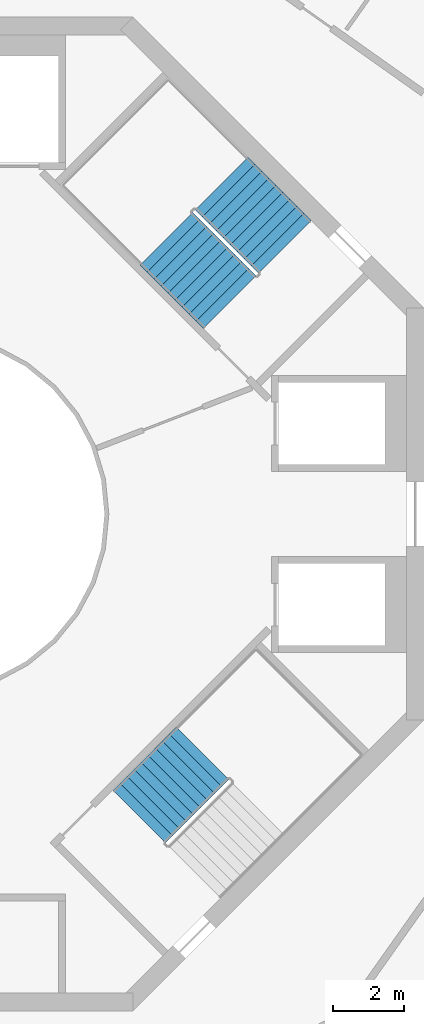
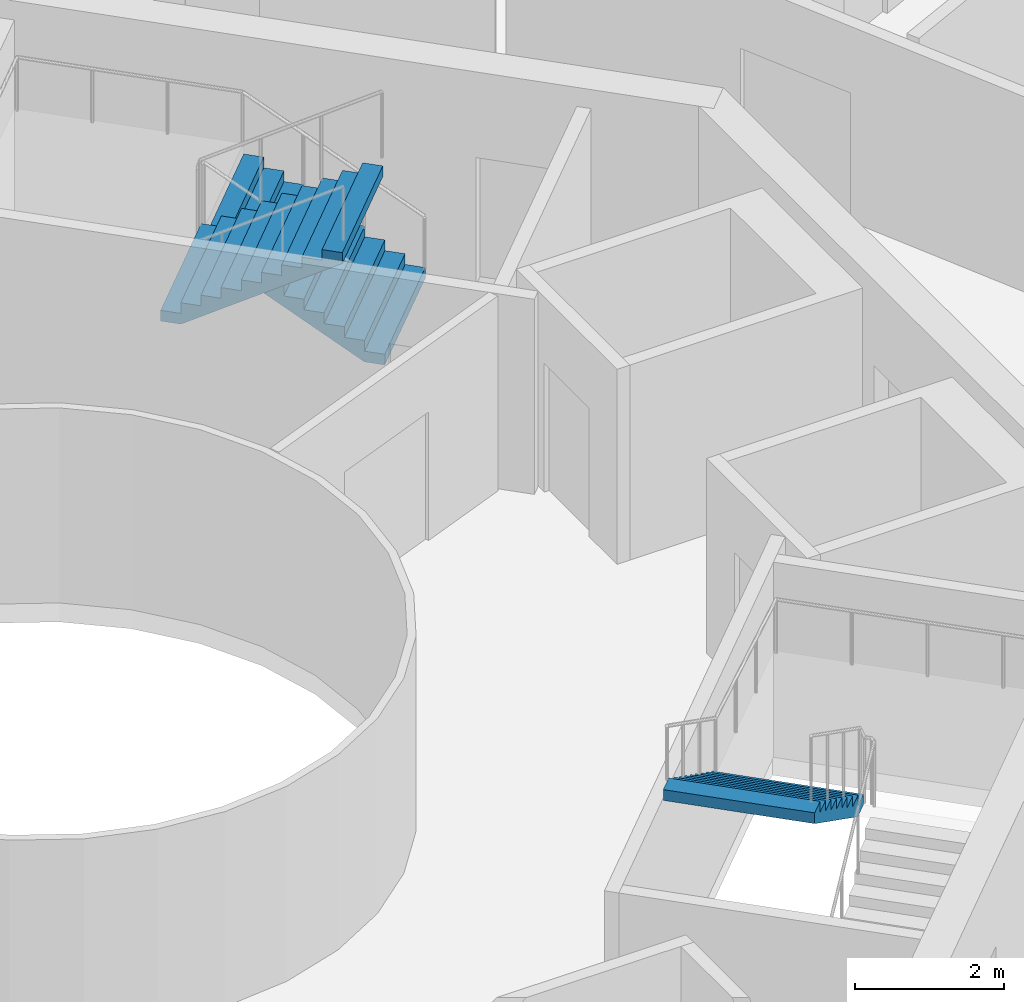
# One storey, part 22 of 23: 3 stair flights, 2 elements without a shape of their own.
"""IFC4 building model written with IfcOpenShell, lengths in metres."""

from ifc_helpers import new_model, si_unit, direction, frame, origin, place, context, subcontext, project, spatial, triangles, material, type_object, element, aggregate, save


model = new_model("IFC4")

# Units and contexts
model_context = context("Model", 3, precision=1e-05, world=origin(), true_north=direction((0.0, 1.0)))
body_context = subcontext(model_context, "Body", "Model", "MODEL_VIEW")
ifc_project = project(units=[si_unit("LENGTHUNIT", "METRE"), si_unit("AREAUNIT", "SQUARE_METRE"), si_unit("VOLUMEUNIT", "CUBIC_METRE"), si_unit("PLANEANGLEUNIT", "RADIAN"), si_unit("MASSUNIT", "GRAM", prefix="KILO")], contexts=[model_context])

# Site, building, storey
site_placement = place(None, origin())
site = spatial("IfcSite", under=ifc_project, at=site_placement, CompositionType="ELEMENT")
building_placement = place(site_placement, origin())
building = spatial("IfcBuilding", under=site, at=building_placement, Name="Verdalira Terraces Hotel", CompositionType="ELEMENT")
storey_placement = place(building_placement, frame((0.0, 0.0, 256.0)))
storey = spatial("IfcBuildingStorey", under=building, at=storey_placement, Name="L63", CompositionType="ELEMENT", Elevation=256.0)

# Stair, stair flights
ifc_material_1 = material(Name="Concrete C40", Category="concrete")
stair_type = type_object("IfcStairType", Name="Core stair 20 risers 2100 mm wide", PredefinedType="HALF_TURN_STAIR", material=ifc_material_1)
stair_1_placement = place(storey_placement, origin())
stair_1 = element("IfcStair", 1, at=stair_1_placement, inside=storey, type_object=stair_type, Name="L63 Exit stair ST1", PredefinedType="HALF_TURN_STAIR")
ifc_material_2 = material(Name="Concrete C40", Category="concrete")
stair_flight_type = type_object("IfcStairFlightType", Name="Core stair flight 20 risers 2100 mm wide", PredefinedType="STRAIGHT", material=ifc_material_2)
stair_flight_1_placement = place(storey_placement, frame((10.076172, 7.530762, 0.0), z_axis=(0.0, 0.0, 1.0), x_axis=(-0.707106781, 0.707106781, 0.0)))
stair_flight_1 = element("IfcStairFlight", 2, at=stair_flight_1_placement, type_object=stair_flight_type, Name="ST1 flight 1", NumberOfRisers=10, NumberOfTreads=9, PredefinedType="STRAIGHT", RiserHeight=0.175, TreadLength=0.28, context=body_context, shape_type="Tessellation", body=[
    triangles([(0.0, 1.050049, 0.0), (0.282715, 1.050049, 0.0), (2.52002, 1.050049, 1.398193), (0.0, -1.050049, 0.0), (0.282715, -1.050049, 0.0), (2.52002, -1.050049, 1.398193), (2.52002, 1.050049, 1.574951), (2.23999, 1.050049, 1.574951), (2.52002, -1.050049, 1.574951), (2.23999, -1.050049, 1.574951), (2.23999, 1.050049, 1.399902), (2.23999, -1.050049, 1.399902), (1.959961, 1.050049, 1.399902), (1.959961, -1.050049, 1.399902), (1.959961, 1.050049, 1.225098), (1.959961, -1.050049, 1.225098), (1.679932, 1.050049, 1.225098), (1.679932, 1.050049, 1.050049), (1.679932, -1.050049, 1.225098), (1.679932, -1.050049, 1.050049), (1.399902, 1.050049, 1.050049), (1.399902, 1.050049, 0.875), (1.399902, -1.050049, 1.050049), (1.399902, -1.050049, 0.875), (1.120117, 1.050049, 0.875), (1.120117, 1.050049, 0.699951), (1.120117, -1.050049, 0.875), (1.120117, -1.050049, 0.699951), (0.840088, 1.050049, 0.699951), (0.840088, 1.050049, 0.524902), (0.840088, -1.050049, 0.699951), (0.840088, -1.050049, 0.524902), (0.560059, 1.050049, 0.524902), (0.560059, 1.050049, 0.350098), (0.560059, -1.050049, 0.524902), (0.560059, -1.050049, 0.350098), (0.280029, 1.050049, 0.350098), (0.280029, 1.050049, 0.175049), (0.280029, -1.050049, 0.350098), (0.280029, -1.050049, 0.175049), (0.0, 1.050049, 0.175049), (0.0, -1.050049, 0.175049), (0.0, -0.984421, 0.0), (0.0, -0.984421, 0.175049), (0.0, -0.918793, 0.0), (0.0, -0.918793, 0.175049), (0.0, -0.853165, 0.0), (0.0, -0.853165, 0.175049), (0.0, -0.787537, 0.0), (0.0, -0.787537, 0.175049), (0.0, -0.721909, 0.0), (0.0, -0.721909, 0.175049), (0.0, -0.656281, 0.0), (0.0, -0.656281, 0.175049), (0.0, -0.590652, 0.0), (0.0, -0.590652, 0.175049), (0.0, -0.525024, 0.0), (0.0, -0.525024, 0.175049), (0.0, -0.459396, 0.0), (0.0, -0.459396, 0.175049), (0.0, -0.393768, 0.0), (0.0, -0.393768, 0.175049), (0.0, -0.32814, 0.0), (0.0, -0.32814, 0.175049), (0.0, -0.262512, 0.0), (0.0, -0.262512, 0.175049), (0.0, -0.196884, 0.0), (0.0, -0.196884, 0.175049), (0.0, -0.131256, 0.0), (0.0, -0.131256, 0.175049), (0.0, -0.065628, 0.0), (0.0, -0.065628, 0.175049), (0.0, 0.0, 0.0), (0.0, 0.0, 0.175049), (0.0, 0.065628, 0.0), (0.0, 0.065628, 0.175049), (0.0, 0.131256, 0.0), (0.0, 0.131256, 0.175049), (0.0, 0.196884, 0.0), (0.0, 0.196884, 0.175049), (0.0, 0.262512, 0.0), (0.0, 0.262512, 0.175049), (0.0, 0.32814, 0.0), (0.0, 0.32814, 0.175049), (0.0, 0.393768, 0.0), (0.0, 0.393768, 0.175049), (0.0, 0.459396, 0.0), (0.0, 0.459396, 0.175049), (0.0, 0.525024, 0.0), (0.0, 0.525024, 0.175049), (0.0, 0.590652, 0.0), (0.0, 0.590652, 0.175049), (0.0, 0.656281, 0.0), (0.0, 0.656281, 0.175049), (0.0, 0.721909, 0.0), (0.0, 0.721909, 0.175049), (0.0, 0.787537, 0.0), (0.0, 0.787537, 0.175049), (0.0, 0.853165, 0.0), (0.0, 0.853165, 0.175049), (0.0, 0.918793, 0.0), (0.0, 0.918793, 0.175049), (0.0, 0.984421, 0.0), (0.0, 0.984421, 0.175049), (2.52002, -0.984421, 1.574951), (2.52002, -0.918793, 1.574951), (2.52002, -0.853165, 1.574951), (2.52002, -0.787537, 1.574951), (2.52002, -0.721909, 1.574951), (2.52002, -0.656281, 1.574951), (2.52002, -0.590652, 1.574951), (2.52002, -0.525024, 1.574951), (2.52002, -0.459396, 1.574951), (2.52002, -0.393768, 1.574951), (2.52002, -0.32814, 1.574951), (2.52002, -0.262512, 1.574951), (2.52002, -0.196884, 1.574951), (2.52002, -0.131256, 1.574951), (2.52002, -0.065628, 1.574951), (2.52002, 0.0, 1.574951), (2.52002, 0.065628, 1.574951), (2.52002, 0.131256, 1.574951), (2.52002, 0.196884, 1.574951), (2.52002, 0.262512, 1.574951), (2.52002, 0.32814, 1.574951), (2.52002, 0.393768, 1.574951), (2.52002, 0.459396, 1.574951), (2.52002, 0.525024, 1.574951), (2.52002, 0.590652, 1.574951), (2.52002, 0.656281, 1.574951), (2.52002, 0.721909, 1.574951), (2.52002, 0.787537, 1.574951), (2.52002, 0.853165, 1.574951), (2.52002, 0.918793, 1.574951), (2.52002, 0.984421, 1.574951), (2.52002, -0.984421, 1.398193), (2.52002, -0.918793, 1.398193), (2.52002, -0.853165, 1.398193), (2.52002, -0.787537, 1.398193), (2.52002, -0.721909, 1.398193), (2.52002, -0.656281, 1.398193), (2.52002, -0.590652, 1.398193), (2.52002, -0.525024, 1.398193), (2.52002, -0.459396, 1.398193), (2.52002, -0.393768, 1.398193), (2.52002, -0.32814, 1.398193), (2.52002, -0.262512, 1.398193), (2.52002, -0.196884, 1.398193), (2.52002, -0.131256, 1.398193), (2.52002, -0.065628, 1.398193), (2.52002, 0.0, 1.398193), (2.52002, 0.065628, 1.398193), (2.52002, 0.131256, 1.398193), (2.52002, 0.196884, 1.398193), (2.52002, 0.262512, 1.398193), (2.52002, 0.32814, 1.398193), (2.52002, 0.393768, 1.398193), (2.52002, 0.459396, 1.398193), (2.52002, 0.525024, 1.398193), (2.52002, 0.590652, 1.398193), (2.52002, 0.656281, 1.398193), (2.52002, 0.721909, 1.398193), (2.52002, 0.787537, 1.398193), (2.52002, 0.853165, 1.398193), (2.52002, 0.918793, 1.398193), (2.52002, 0.984421, 1.398193)], [[1, 3, 2], [4, 5, 6], [3, 8, 7], [6, 9, 10], [3, 11, 8], [6, 10, 12], [3, 13, 11], [6, 12, 14], [3, 15, 13], [6, 14, 16], [15, 18, 17], [16, 19, 20], [3, 18, 15], [6, 16, 20], [18, 22, 21], [20, 23, 24], [3, 22, 18], [6, 20, 24], [22, 26, 25], [24, 27, 28], [3, 26, 22], [6, 24, 28], [26, 30, 29], [28, 31, 32], [3, 30, 26], [6, 28, 32], [1, 30, 3], [4, 6, 32], [30, 34, 33], [32, 35, 36], [34, 38, 37], [36, 39, 40], [30, 38, 34], [32, 36, 40], [1, 38, 30], [4, 32, 40], [38, 1, 41], [40, 42, 4], [4, 44, 43], [4, 42, 44], [43, 46, 45], [43, 44, 46], [45, 48, 47], [45, 46, 48], [47, 50, 49], [47, 48, 50], [49, 52, 51], [49, 50, 52], [51, 54, 53], [51, 52, 54], [53, 56, 55], [53, 54, 56], [55, 58, 57], [55, 56, 58], [57, 60, 59], [57, 58, 60], [59, 62, 61], [59, 60, 62], [61, 64, 63], [61, 62, 64], [63, 66, 65], [63, 64, 66], [65, 68, 67], [65, 66, 68], [67, 70, 69], [67, 68, 70], [69, 72, 71], [69, 70, 72], [71, 74, 73], [71, 72, 74], [73, 76, 75], [73, 74, 76], [75, 78, 77], [75, 76, 78], [77, 80, 79], [77, 78, 80], [79, 82, 81], [79, 80, 82], [81, 84, 83], [81, 82, 84], [83, 86, 85], [83, 84, 86], [85, 88, 87], [85, 86, 88], [87, 90, 89], [87, 88, 90], [89, 92, 91], [89, 90, 92], [91, 94, 93], [91, 92, 94], [93, 96, 95], [93, 94, 96], [95, 98, 97], [95, 96, 98], [97, 100, 99], [97, 98, 100], [99, 102, 101], [99, 100, 102], [101, 104, 103], [101, 102, 104], [103, 41, 1], [103, 104, 41], [42, 40, 44], [44, 40, 46], [46, 40, 48], [48, 40, 50], [50, 40, 52], [52, 40, 54], [54, 40, 56], [56, 40, 58], [58, 40, 60], [60, 40, 62], [62, 40, 64], [64, 40, 66], [66, 40, 68], [68, 40, 70], [70, 40, 72], [72, 40, 74], [74, 40, 76], [76, 40, 78], [78, 40, 80], [80, 40, 82], [82, 40, 84], [84, 40, 86], [86, 40, 88], [88, 40, 90], [90, 40, 92], [92, 40, 94], [94, 40, 96], [96, 40, 98], [98, 40, 100], [100, 40, 102], [102, 40, 104], [104, 40, 41], [41, 40, 38], [40, 37, 38], [40, 39, 37], [39, 34, 37], [39, 36, 34], [36, 33, 34], [36, 35, 33], [35, 30, 33], [35, 32, 30], [32, 29, 30], [32, 31, 29], [31, 26, 29], [31, 28, 26], [28, 25, 26], [28, 27, 25], [27, 22, 25], [27, 24, 22], [24, 21, 22], [24, 23, 21], [23, 18, 21], [23, 20, 18], [20, 17, 18], [20, 19, 17], [19, 15, 17], [19, 16, 15], [16, 13, 15], [16, 14, 13], [14, 11, 13], [14, 12, 11], [12, 8, 11], [12, 10, 8], [9, 105, 10], [105, 106, 10], [106, 107, 10], [107, 108, 10], [108, 109, 10], [109, 110, 10], [110, 111, 10], [111, 112, 10], [112, 113, 10], [113, 114, 10], [114, 115, 10], [115, 116, 10], [116, 117, 10], [117, 118, 10], [118, 119, 10], [119, 120, 10], [120, 121, 10], [121, 122, 10], [122, 123, 10], [123, 124, 10], [124, 125, 10], [125, 126, 10], [126, 127, 10], [127, 128, 10], [128, 129, 10], [129, 130, 10], [130, 131, 10], [131, 132, 10], [132, 133, 10], [133, 134, 10], [134, 135, 10], [135, 7, 10], [7, 8, 10], [9, 136, 105], [9, 6, 136], [105, 137, 106], [105, 136, 137], [106, 138, 107], [106, 137, 138], [107, 139, 108], [107, 138, 139], [108, 140, 109], [108, 139, 140], [109, 141, 110], [109, 140, 141], [110, 142, 111], [110, 141, 142], [111, 143, 112], [111, 142, 143], [112, 144, 113], [112, 143, 144], [113, 145, 114], [113, 144, 145], [114, 146, 115], [114, 145, 146], [115, 147, 116], [115, 146, 147], [116, 148, 117], [116, 147, 148], [117, 149, 118], [117, 148, 149], [118, 150, 119], [118, 149, 150], [119, 151, 120], [119, 150, 151], [120, 152, 121], [120, 151, 152], [121, 153, 122], [121, 152, 153], [122, 154, 123], [122, 153, 154], [123, 155, 124], [123, 154, 155], [124, 156, 125], [124, 155, 156], [125, 157, 126], [125, 156, 157], [126, 158, 127], [126, 157, 158], [127, 159, 128], [127, 158, 159], [128, 160, 129], [128, 159, 160], [129, 161, 130], [129, 160, 161], [130, 162, 131], [130, 161, 162], [131, 163, 132], [131, 162, 163], [132, 164, 133], [132, 163, 164], [133, 165, 134], [133, 164, 165], [134, 166, 135], [134, 165, 166], [135, 3, 7], [135, 166, 3], [6, 5, 136], [136, 5, 137], [137, 5, 138], [138, 5, 139], [139, 5, 140], [140, 5, 141], [141, 5, 142], [142, 5, 143], [143, 5, 144], [144, 5, 145], [145, 5, 146], [146, 5, 147], [147, 5, 148], [148, 5, 149], [149, 5, 150], [150, 5, 151], [151, 5, 152], [152, 5, 153], [153, 5, 154], [154, 5, 155], [155, 5, 156], [156, 5, 157], [157, 5, 158], [158, 5, 159], [159, 5, 160], [160, 5, 161], [161, 5, 162], [162, 5, 163], [163, 5, 164], [164, 5, 165], [165, 5, 166], [166, 5, 3], [3, 5, 2], [4, 43, 5], [43, 45, 5], [45, 47, 5], [47, 49, 5], [49, 51, 5], [51, 53, 5], [53, 55, 5], [55, 57, 5], [57, 59, 5], [59, 61, 5], [61, 63, 5], [63, 65, 5], [65, 67, 5], [67, 69, 5], [69, 71, 5], [71, 73, 5], [73, 75, 5], [75, 77, 5], [77, 79, 5], [79, 81, 5], [81, 83, 5], [83, 85, 5], [85, 87, 5], [87, 89, 5], [89, 91, 5], [91, 93, 5], [93, 95, 5], [95, 97, 5], [97, 99, 5], [99, 101, 5], [101, 103, 5], [103, 1, 5], [1, 2, 5]], closed=True),
])
stair_flight_2_placement = place(storey_placement, frame((6.73877, 7.75708, 1.75), z_axis=(0.0, 0.0, 1.0), x_axis=(0.707106781, -0.707106781, 0.0)))
stair_flight_2 = element("IfcStairFlight", 3, at=stair_flight_2_placement, type_object=stair_flight_type, Name="ST1 flight 2", NumberOfRisers=10, NumberOfTreads=9, PredefinedType="STRAIGHT", RiserHeight=0.175, TreadLength=0.28, context=body_context, shape_type="Tessellation", body=[
    triangles([(0.0, 1.050049, 0.0), (0.282715, 1.050049, 0.0), (2.52002, 1.050049, 1.398193), (0.0, -1.050049, 0.0), (0.282715, -1.050049, 0.0), (2.52002, -1.050049, 1.398193), (2.52002, 1.050049, 1.574951), (2.23999, 1.050049, 1.574951), (2.52002, -1.050049, 1.574951), (2.23999, -1.050049, 1.574951), (2.23999, 1.050049, 1.399902), (2.23999, -1.050049, 1.399902), (1.959961, 1.050049, 1.399902), (1.959961, -1.050049, 1.399902), (1.959961, 1.050049, 1.225098), (1.959961, -1.050049, 1.225098), (1.679932, 1.050049, 1.225098), (1.679932, 1.050049, 1.050049), (1.679932, -1.050049, 1.225098), (1.679932, -1.050049, 1.050049), (1.399902, 1.050049, 1.050049), (1.399902, 1.050049, 0.875), (1.399902, -1.050049, 1.050049), (1.399902, -1.050049, 0.875), (1.120117, 1.050049, 0.875), (1.120117, 1.050049, 0.699951), (1.120117, -1.050049, 0.875), (1.120117, -1.050049, 0.699951), (0.840088, 1.050049, 0.699951), (0.840088, 1.050049, 0.524902), (0.840088, -1.050049, 0.699951), (0.840088, -1.050049, 0.524902), (0.560059, 1.050049, 0.524902), (0.560059, 1.050049, 0.350098), (0.560059, -1.050049, 0.524902), (0.560059, -1.050049, 0.350098), (0.280029, 1.050049, 0.350098), (0.280029, 1.050049, 0.175049), (0.280029, -1.050049, 0.350098), (0.280029, -1.050049, 0.175049), (0.0, 1.050049, 0.175049), (0.0, -1.050049, 0.175049), (0.0, -0.984421, 0.0), (0.0, -0.984421, 0.175049), (0.0, -0.918793, 0.0), (0.0, -0.918793, 0.175049), (0.0, -0.853165, 0.0), (0.0, -0.853165, 0.175049), (0.0, -0.787537, 0.0), (0.0, -0.787537, 0.175049), (0.0, -0.721909, 0.0), (0.0, -0.721909, 0.175049), (0.0, -0.656281, 0.0), (0.0, -0.656281, 0.175049), (0.0, -0.590652, 0.0), (0.0, -0.590652, 0.175049), (0.0, -0.525024, 0.0), (0.0, -0.525024, 0.175049), (0.0, -0.459396, 0.0), (0.0, -0.459396, 0.175049), (0.0, -0.393768, 0.0), (0.0, -0.393768, 0.175049), (0.0, -0.32814, 0.0), (0.0, -0.32814, 0.175049), (0.0, -0.262512, 0.0), (0.0, -0.262512, 0.175049), (0.0, -0.196884, 0.0), (0.0, -0.196884, 0.175049), (0.0, -0.131256, 0.0), (0.0, -0.131256, 0.175049), (0.0, -0.065628, 0.0), (0.0, -0.065628, 0.175049), (0.0, 0.0, 0.0), (0.0, 0.0, 0.175049), (0.0, 0.065628, 0.0), (0.0, 0.065628, 0.175049), (0.0, 0.131256, 0.0), (0.0, 0.131256, 0.175049), (0.0, 0.196884, 0.0), (0.0, 0.196884, 0.175049), (0.0, 0.262512, 0.0), (0.0, 0.262512, 0.175049), (0.0, 0.32814, 0.0), (0.0, 0.32814, 0.175049), (0.0, 0.393768, 0.0), (0.0, 0.393768, 0.175049), (0.0, 0.459396, 0.0), (0.0, 0.459396, 0.175049), (0.0, 0.525024, 0.0), (0.0, 0.525024, 0.175049), (0.0, 0.590652, 0.0), (0.0, 0.590652, 0.175049), (0.0, 0.656281, 0.0), (0.0, 0.656281, 0.175049), (0.0, 0.721909, 0.0), (0.0, 0.721909, 0.175049), (0.0, 0.787537, 0.0), (0.0, 0.787537, 0.175049), (0.0, 0.853165, 0.0), (0.0, 0.853165, 0.175049), (0.0, 0.918793, 0.0), (0.0, 0.918793, 0.175049), (0.0, 0.984421, 0.0), (0.0, 0.984421, 0.175049), (2.52002, -0.984421, 1.574951), (2.52002, -0.918793, 1.574951), (2.52002, -0.853165, 1.574951), (2.52002, -0.787537, 1.574951), (2.52002, -0.721909, 1.574951), (2.52002, -0.656281, 1.574951), (2.52002, -0.590652, 1.574951), (2.52002, -0.525024, 1.574951), (2.52002, -0.459396, 1.574951), (2.52002, -0.393768, 1.574951), (2.52002, -0.32814, 1.574951), (2.52002, -0.262512, 1.574951), (2.52002, -0.196884, 1.574951), (2.52002, -0.131256, 1.574951), (2.52002, -0.065628, 1.574951), (2.52002, 0.0, 1.574951), (2.52002, 0.065628, 1.574951), (2.52002, 0.131256, 1.574951), (2.52002, 0.196884, 1.574951), (2.52002, 0.262512, 1.574951), (2.52002, 0.32814, 1.574951), (2.52002, 0.393768, 1.574951), (2.52002, 0.459396, 1.574951), (2.52002, 0.525024, 1.574951), (2.52002, 0.590652, 1.574951), (2.52002, 0.656281, 1.574951), (2.52002, 0.721909, 1.574951), (2.52002, 0.787537, 1.574951), (2.52002, 0.853165, 1.574951), (2.52002, 0.918793, 1.574951), (2.52002, 0.984421, 1.574951), (2.52002, -0.984421, 1.398193), (2.52002, -0.918793, 1.398193), (2.52002, -0.853165, 1.398193), (2.52002, -0.787537, 1.398193), (2.52002, -0.721909, 1.398193), (2.52002, -0.656281, 1.398193), (2.52002, -0.590652, 1.398193), (2.52002, -0.525024, 1.398193), (2.52002, -0.459396, 1.398193), (2.52002, -0.393768, 1.398193), (2.52002, -0.32814, 1.398193), (2.52002, -0.262512, 1.398193), (2.52002, -0.196884, 1.398193), (2.52002, -0.131256, 1.398193), (2.52002, -0.065628, 1.398193), (2.52002, 0.0, 1.398193), (2.52002, 0.065628, 1.398193), (2.52002, 0.131256, 1.398193), (2.52002, 0.196884, 1.398193), (2.52002, 0.262512, 1.398193), (2.52002, 0.32814, 1.398193), (2.52002, 0.393768, 1.398193), (2.52002, 0.459396, 1.398193), (2.52002, 0.525024, 1.398193), (2.52002, 0.590652, 1.398193), (2.52002, 0.656281, 1.398193), (2.52002, 0.721909, 1.398193), (2.52002, 0.787537, 1.398193), (2.52002, 0.853165, 1.398193), (2.52002, 0.918793, 1.398193), (2.52002, 0.984421, 1.398193)], [[1, 3, 2], [4, 5, 6], [3, 8, 7], [6, 9, 10], [3, 11, 8], [6, 10, 12], [3, 13, 11], [6, 12, 14], [3, 15, 13], [6, 14, 16], [15, 18, 17], [16, 19, 20], [3, 18, 15], [6, 16, 20], [18, 22, 21], [20, 23, 24], [3, 22, 18], [6, 20, 24], [22, 26, 25], [24, 27, 28], [3, 26, 22], [6, 24, 28], [26, 30, 29], [28, 31, 32], [3, 30, 26], [6, 28, 32], [1, 30, 3], [4, 6, 32], [30, 34, 33], [32, 35, 36], [34, 38, 37], [36, 39, 40], [30, 38, 34], [32, 36, 40], [1, 38, 30], [4, 32, 40], [38, 1, 41], [40, 42, 4], [4, 44, 43], [4, 42, 44], [43, 46, 45], [43, 44, 46], [45, 48, 47], [45, 46, 48], [47, 50, 49], [47, 48, 50], [49, 52, 51], [49, 50, 52], [51, 54, 53], [51, 52, 54], [53, 56, 55], [53, 54, 56], [55, 58, 57], [55, 56, 58], [57, 60, 59], [57, 58, 60], [59, 62, 61], [59, 60, 62], [61, 64, 63], [61, 62, 64], [63, 66, 65], [63, 64, 66], [65, 68, 67], [65, 66, 68], [67, 70, 69], [67, 68, 70], [69, 72, 71], [69, 70, 72], [71, 74, 73], [71, 72, 74], [73, 76, 75], [73, 74, 76], [75, 78, 77], [75, 76, 78], [77, 80, 79], [77, 78, 80], [79, 82, 81], [79, 80, 82], [81, 84, 83], [81, 82, 84], [83, 86, 85], [83, 84, 86], [85, 88, 87], [85, 86, 88], [87, 90, 89], [87, 88, 90], [89, 92, 91], [89, 90, 92], [91, 94, 93], [91, 92, 94], [93, 96, 95], [93, 94, 96], [95, 98, 97], [95, 96, 98], [97, 100, 99], [97, 98, 100], [99, 102, 101], [99, 100, 102], [101, 104, 103], [101, 102, 104], [103, 41, 1], [103, 104, 41], [42, 40, 44], [44, 40, 46], [46, 40, 48], [48, 40, 50], [50, 40, 52], [52, 40, 54], [54, 40, 56], [56, 40, 58], [58, 40, 60], [60, 40, 62], [62, 40, 64], [64, 40, 66], [66, 40, 68], [68, 40, 70], [70, 40, 72], [72, 40, 74], [74, 40, 76], [76, 40, 78], [78, 40, 80], [80, 40, 82], [82, 40, 84], [84, 40, 86], [86, 40, 88], [88, 40, 90], [90, 40, 92], [92, 40, 94], [94, 40, 96], [96, 40, 98], [98, 40, 100], [100, 40, 102], [102, 40, 104], [104, 40, 41], [41, 40, 38], [40, 37, 38], [40, 39, 37], [39, 34, 37], [39, 36, 34], [36, 33, 34], [36, 35, 33], [35, 30, 33], [35, 32, 30], [32, 29, 30], [32, 31, 29], [31, 26, 29], [31, 28, 26], [28, 25, 26], [28, 27, 25], [27, 22, 25], [27, 24, 22], [24, 21, 22], [24, 23, 21], [23, 18, 21], [23, 20, 18], [20, 17, 18], [20, 19, 17], [19, 15, 17], [19, 16, 15], [16, 13, 15], [16, 14, 13], [14, 11, 13], [14, 12, 11], [12, 8, 11], [12, 10, 8], [9, 105, 10], [105, 106, 10], [106, 107, 10], [107, 108, 10], [108, 109, 10], [109, 110, 10], [110, 111, 10], [111, 112, 10], [112, 113, 10], [113, 114, 10], [114, 115, 10], [115, 116, 10], [116, 117, 10], [117, 118, 10], [118, 119, 10], [119, 120, 10], [120, 121, 10], [121, 122, 10], [122, 123, 10], [123, 124, 10], [124, 125, 10], [125, 126, 10], [126, 127, 10], [127, 128, 10], [128, 129, 10], [129, 130, 10], [130, 131, 10], [131, 132, 10], [132, 133, 10], [133, 134, 10], [134, 135, 10], [135, 7, 10], [7, 8, 10], [9, 136, 105], [9, 6, 136], [105, 137, 106], [105, 136, 137], [106, 138, 107], [106, 137, 138], [107, 139, 108], [107, 138, 139], [108, 140, 109], [108, 139, 140], [109, 141, 110], [109, 140, 141], [110, 142, 111], [110, 141, 142], [111, 143, 112], [111, 142, 143], [112, 144, 113], [112, 143, 144], [113, 145, 114], [113, 144, 145], [114, 146, 115], [114, 145, 146], [115, 147, 116], [115, 146, 147], [116, 148, 117], [116, 147, 148], [117, 149, 118], [117, 148, 149], [118, 150, 119], [118, 149, 150], [119, 151, 120], [119, 150, 151], [120, 152, 121], [120, 151, 152], [121, 153, 122], [121, 152, 153], [122, 154, 123], [122, 153, 154], [123, 155, 124], [123, 154, 155], [124, 156, 125], [124, 155, 156], [125, 157, 126], [125, 156, 157], [126, 158, 127], [126, 157, 158], [127, 159, 128], [127, 158, 159], [128, 160, 129], [128, 159, 160], [129, 161, 130], [129, 160, 161], [130, 162, 131], [130, 161, 162], [131, 163, 132], [131, 162, 163], [132, 164, 133], [132, 163, 164], [133, 165, 134], [133, 164, 165], [134, 166, 135], [134, 165, 166], [135, 3, 7], [135, 166, 3], [6, 5, 136], [136, 5, 137], [137, 5, 138], [138, 5, 139], [139, 5, 140], [140, 5, 141], [141, 5, 142], [142, 5, 143], [143, 5, 144], [144, 5, 145], [145, 5, 146], [146, 5, 147], [147, 5, 148], [148, 5, 149], [149, 5, 150], [150, 5, 151], [151, 5, 152], [152, 5, 153], [153, 5, 154], [154, 5, 155], [155, 5, 156], [156, 5, 157], [157, 5, 158], [158, 5, 159], [159, 5, 160], [160, 5, 161], [161, 5, 162], [162, 5, 163], [163, 5, 164], [164, 5, 165], [165, 5, 166], [166, 5, 3], [3, 5, 2], [4, 43, 5], [43, 45, 5], [45, 47, 5], [47, 49, 5], [49, 51, 5], [51, 53, 5], [53, 55, 5], [55, 57, 5], [57, 59, 5], [59, 61, 5], [61, 63, 5], [63, 65, 5], [65, 67, 5], [67, 69, 5], [69, 71, 5], [71, 73, 5], [73, 75, 5], [75, 77, 5], [77, 79, 5], [79, 81, 5], [81, 83, 5], [83, 85, 5], [85, 87, 5], [87, 89, 5], [89, 91, 5], [91, 93, 5], [93, 95, 5], [95, 97, 5], [97, 99, 5], [99, 101, 5], [101, 103, 5], [103, 1, 5], [1, 2, 5]], closed=True),
])
aggregate(stair_1, [stair_flight_1, stair_flight_2])

# Stair, stair flight
stair_2_placement = place(storey_placement, origin())
stair_2 = element("IfcStair", 4, at=stair_2_placement, inside=storey, type_object=stair_type, Name="L63 Exit stair ST3", PredefinedType="HALF_TURN_STAIR")
stair_flight_3_placement = place(storey_placement, frame((7.75708, -6.73877, 1.75), z_axis=(0.0, 0.0, 1.0), x_axis=(-0.707106781, -0.707106781, 0.0)))
stair_flight_3 = element("IfcStairFlight", 5, at=stair_flight_3_placement, type_object=stair_flight_type, Name="ST3 flight 2", NumberOfRisers=10, NumberOfTreads=9, PredefinedType="STRAIGHT", RiserHeight=0.175, TreadLength=0.28, context=body_context, shape_type="Tessellation", body=[
    triangles([(0.0, 1.050049, 0.0), (0.282715, 1.050049, 0.0), (2.52002, 1.050049, 1.398193), (0.0, -1.050049, 0.0), (0.282715, -1.050049, 0.0), (2.52002, -1.050049, 1.398193), (2.52002, 1.050049, 1.574951), (2.23999, 1.050049, 1.574951), (2.52002, -1.050049, 1.574951), (2.23999, -1.050049, 1.574951), (2.23999, 1.050049, 1.399902), (2.23999, -1.050049, 1.399902), (1.959961, 1.050049, 1.399902), (1.959961, -1.050049, 1.399902), (1.959961, 1.050049, 1.225098), (1.959961, -1.050049, 1.225098), (1.679932, 1.050049, 1.225098), (1.679932, 1.050049, 1.050049), (1.679932, -1.050049, 1.225098), (1.679932, -1.050049, 1.050049), (1.399902, 1.050049, 1.050049), (1.399902, 1.050049, 0.875), (1.399902, -1.050049, 1.050049), (1.399902, -1.050049, 0.875), (1.120117, 1.050049, 0.875), (1.120117, 1.050049, 0.699951), (1.120117, -1.050049, 0.875), (1.120117, -1.050049, 0.699951), (0.840088, 1.050049, 0.699951), (0.840088, 1.050049, 0.524902), (0.840088, -1.050049, 0.699951), (0.840088, -1.050049, 0.524902), (0.560059, 1.050049, 0.524902), (0.560059, 1.050049, 0.350098), (0.560059, -1.050049, 0.524902), (0.560059, -1.050049, 0.350098), (0.280029, 1.050049, 0.350098), (0.280029, 1.050049, 0.175049), (0.280029, -1.050049, 0.350098), (0.280029, -1.050049, 0.175049), (0.0, 1.050049, 0.175049), (0.0, -1.050049, 0.175049), (0.0, -0.984421, 0.0), (0.0, -0.984421, 0.175049), (0.0, -0.918793, 0.0), (0.0, -0.918793, 0.175049), (0.0, -0.853165, 0.0), (0.0, -0.853165, 0.175049), (0.0, -0.787537, 0.0), (0.0, -0.787537, 0.175049), (0.0, -0.721909, 0.0), (0.0, -0.721909, 0.175049), (0.0, -0.656281, 0.0), (0.0, -0.656281, 0.175049), (0.0, -0.590652, 0.0), (0.0, -0.590652, 0.175049), (0.0, -0.525024, 0.0), (0.0, -0.525024, 0.175049), (0.0, -0.459396, 0.0), (0.0, -0.459396, 0.175049), (0.0, -0.393768, 0.0), (0.0, -0.393768, 0.175049), (0.0, -0.32814, 0.0), (0.0, -0.32814, 0.175049), (0.0, -0.262512, 0.0), (0.0, -0.262512, 0.175049), (0.0, -0.196884, 0.0), (0.0, -0.196884, 0.175049), (0.0, -0.131256, 0.0), (0.0, -0.131256, 0.175049), (0.0, -0.065628, 0.0), (0.0, -0.065628, 0.175049), (0.0, 0.0, 0.0), (0.0, 0.0, 0.175049), (0.0, 0.065628, 0.0), (0.0, 0.065628, 0.175049), (0.0, 0.131256, 0.0), (0.0, 0.131256, 0.175049), (0.0, 0.196884, 0.0), (0.0, 0.196884, 0.175049), (0.0, 0.262512, 0.0), (0.0, 0.262512, 0.175049), (0.0, 0.32814, 0.0), (0.0, 0.32814, 0.175049), (0.0, 0.393768, 0.0), (0.0, 0.393768, 0.175049), (0.0, 0.459396, 0.0), (0.0, 0.459396, 0.175049), (0.0, 0.525024, 0.0), (0.0, 0.525024, 0.175049), (0.0, 0.590652, 0.0), (0.0, 0.590652, 0.175049), (0.0, 0.656281, 0.0), (0.0, 0.656281, 0.175049), (0.0, 0.721909, 0.0), (0.0, 0.721909, 0.175049), (0.0, 0.787537, 0.0), (0.0, 0.787537, 0.175049), (0.0, 0.853165, 0.0), (0.0, 0.853165, 0.175049), (0.0, 0.918793, 0.0), (0.0, 0.918793, 0.175049), (0.0, 0.984421, 0.0), (0.0, 0.984421, 0.175049), (2.52002, -0.984421, 1.574951), (2.52002, -0.918793, 1.574951), (2.52002, -0.853165, 1.574951), (2.52002, -0.787537, 1.574951), (2.52002, -0.721909, 1.574951), (2.52002, -0.656281, 1.574951), (2.52002, -0.590652, 1.574951), (2.52002, -0.525024, 1.574951), (2.52002, -0.459396, 1.574951), (2.52002, -0.393768, 1.574951), (2.52002, -0.32814, 1.574951), (2.52002, -0.262512, 1.574951), (2.52002, -0.196884, 1.574951), (2.52002, -0.131256, 1.574951), (2.52002, -0.065628, 1.574951), (2.52002, 0.0, 1.574951), (2.52002, 0.065628, 1.574951), (2.52002, 0.131256, 1.574951), (2.52002, 0.196884, 1.574951), (2.52002, 0.262512, 1.574951), (2.52002, 0.32814, 1.574951), (2.52002, 0.393768, 1.574951), (2.52002, 0.459396, 1.574951), (2.52002, 0.525024, 1.574951), (2.52002, 0.590652, 1.574951), (2.52002, 0.656281, 1.574951), (2.52002, 0.721909, 1.574951), (2.52002, 0.787537, 1.574951), (2.52002, 0.853165, 1.574951), (2.52002, 0.918793, 1.574951), (2.52002, 0.984421, 1.574951), (2.52002, -0.984421, 1.398193), (2.52002, -0.918793, 1.398193), (2.52002, -0.853165, 1.398193), (2.52002, -0.787537, 1.398193), (2.52002, -0.721909, 1.398193), (2.52002, -0.656281, 1.398193), (2.52002, -0.590652, 1.398193), (2.52002, -0.525024, 1.398193), (2.52002, -0.459396, 1.398193), (2.52002, -0.393768, 1.398193), (2.52002, -0.32814, 1.398193), (2.52002, -0.262512, 1.398193), (2.52002, -0.196884, 1.398193), (2.52002, -0.131256, 1.398193), (2.52002, -0.065628, 1.398193), (2.52002, 0.0, 1.398193), (2.52002, 0.065628, 1.398193), (2.52002, 0.131256, 1.398193), (2.52002, 0.196884, 1.398193), (2.52002, 0.262512, 1.398193), (2.52002, 0.32814, 1.398193), (2.52002, 0.393768, 1.398193), (2.52002, 0.459396, 1.398193), (2.52002, 0.525024, 1.398193), (2.52002, 0.590652, 1.398193), (2.52002, 0.656281, 1.398193), (2.52002, 0.721909, 1.398193), (2.52002, 0.787537, 1.398193), (2.52002, 0.853165, 1.398193), (2.52002, 0.918793, 1.398193), (2.52002, 0.984421, 1.398193)], [[1, 3, 2], [4, 5, 6], [3, 8, 7], [6, 9, 10], [3, 11, 8], [6, 10, 12], [3, 13, 11], [6, 12, 14], [3, 15, 13], [6, 14, 16], [15, 18, 17], [16, 19, 20], [3, 18, 15], [6, 16, 20], [18, 22, 21], [20, 23, 24], [3, 22, 18], [6, 20, 24], [22, 26, 25], [24, 27, 28], [3, 26, 22], [6, 24, 28], [26, 30, 29], [28, 31, 32], [3, 30, 26], [6, 28, 32], [1, 30, 3], [4, 6, 32], [30, 34, 33], [32, 35, 36], [34, 38, 37], [36, 39, 40], [30, 38, 34], [32, 36, 40], [1, 38, 30], [4, 32, 40], [38, 1, 41], [40, 42, 4], [4, 44, 43], [4, 42, 44], [43, 46, 45], [43, 44, 46], [45, 48, 47], [45, 46, 48], [47, 50, 49], [47, 48, 50], [49, 52, 51], [49, 50, 52], [51, 54, 53], [51, 52, 54], [53, 56, 55], [53, 54, 56], [55, 58, 57], [55, 56, 58], [57, 60, 59], [57, 58, 60], [59, 62, 61], [59, 60, 62], [61, 64, 63], [61, 62, 64], [63, 66, 65], [63, 64, 66], [65, 68, 67], [65, 66, 68], [67, 70, 69], [67, 68, 70], [69, 72, 71], [69, 70, 72], [71, 74, 73], [71, 72, 74], [73, 76, 75], [73, 74, 76], [75, 78, 77], [75, 76, 78], [77, 80, 79], [77, 78, 80], [79, 82, 81], [79, 80, 82], [81, 84, 83], [81, 82, 84], [83, 86, 85], [83, 84, 86], [85, 88, 87], [85, 86, 88], [87, 90, 89], [87, 88, 90], [89, 92, 91], [89, 90, 92], [91, 94, 93], [91, 92, 94], [93, 96, 95], [93, 94, 96], [95, 98, 97], [95, 96, 98], [97, 100, 99], [97, 98, 100], [99, 102, 101], [99, 100, 102], [101, 104, 103], [101, 102, 104], [103, 41, 1], [103, 104, 41], [42, 40, 44], [44, 40, 46], [46, 40, 48], [48, 40, 50], [50, 40, 52], [52, 40, 54], [54, 40, 56], [56, 40, 58], [58, 40, 60], [60, 40, 62], [62, 40, 64], [64, 40, 66], [66, 40, 68], [68, 40, 70], [70, 40, 72], [72, 40, 74], [74, 40, 76], [76, 40, 78], [78, 40, 80], [80, 40, 82], [82, 40, 84], [84, 40, 86], [86, 40, 88], [88, 40, 90], [90, 40, 92], [92, 40, 94], [94, 40, 96], [96, 40, 98], [98, 40, 100], [100, 40, 102], [102, 40, 104], [104, 40, 41], [41, 40, 38], [40, 37, 38], [40, 39, 37], [39, 34, 37], [39, 36, 34], [36, 33, 34], [36, 35, 33], [35, 30, 33], [35, 32, 30], [32, 29, 30], [32, 31, 29], [31, 26, 29], [31, 28, 26], [28, 25, 26], [28, 27, 25], [27, 22, 25], [27, 24, 22], [24, 21, 22], [24, 23, 21], [23, 18, 21], [23, 20, 18], [20, 17, 18], [20, 19, 17], [19, 15, 17], [19, 16, 15], [16, 13, 15], [16, 14, 13], [14, 11, 13], [14, 12, 11], [12, 8, 11], [12, 10, 8], [9, 105, 10], [105, 106, 10], [106, 107, 10], [107, 108, 10], [108, 109, 10], [109, 110, 10], [110, 111, 10], [111, 112, 10], [112, 113, 10], [113, 114, 10], [114, 115, 10], [115, 116, 10], [116, 117, 10], [117, 118, 10], [118, 119, 10], [119, 120, 10], [120, 121, 10], [121, 122, 10], [122, 123, 10], [123, 124, 10], [124, 125, 10], [125, 126, 10], [126, 127, 10], [127, 128, 10], [128, 129, 10], [129, 130, 10], [130, 131, 10], [131, 132, 10], [132, 133, 10], [133, 134, 10], [134, 135, 10], [135, 7, 10], [7, 8, 10], [9, 136, 105], [9, 6, 136], [105, 137, 106], [105, 136, 137], [106, 138, 107], [106, 137, 138], [107, 139, 108], [107, 138, 139], [108, 140, 109], [108, 139, 140], [109, 141, 110], [109, 140, 141], [110, 142, 111], [110, 141, 142], [111, 143, 112], [111, 142, 143], [112, 144, 113], [112, 143, 144], [113, 145, 114], [113, 144, 145], [114, 146, 115], [114, 145, 146], [115, 147, 116], [115, 146, 147], [116, 148, 117], [116, 147, 148], [117, 149, 118], [117, 148, 149], [118, 150, 119], [118, 149, 150], [119, 151, 120], [119, 150, 151], [120, 152, 121], [120, 151, 152], [121, 153, 122], [121, 152, 153], [122, 154, 123], [122, 153, 154], [123, 155, 124], [123, 154, 155], [124, 156, 125], [124, 155, 156], [125, 157, 126], [125, 156, 157], [126, 158, 127], [126, 157, 158], [127, 159, 128], [127, 158, 159], [128, 160, 129], [128, 159, 160], [129, 161, 130], [129, 160, 161], [130, 162, 131], [130, 161, 162], [131, 163, 132], [131, 162, 163], [132, 164, 133], [132, 163, 164], [133, 165, 134], [133, 164, 165], [134, 166, 135], [134, 165, 166], [135, 3, 7], [135, 166, 3], [6, 5, 136], [136, 5, 137], [137, 5, 138], [138, 5, 139], [139, 5, 140], [140, 5, 141], [141, 5, 142], [142, 5, 143], [143, 5, 144], [144, 5, 145], [145, 5, 146], [146, 5, 147], [147, 5, 148], [148, 5, 149], [149, 5, 150], [150, 5, 151], [151, 5, 152], [152, 5, 153], [153, 5, 154], [154, 5, 155], [155, 5, 156], [156, 5, 157], [157, 5, 158], [158, 5, 159], [159, 5, 160], [160, 5, 161], [161, 5, 162], [162, 5, 163], [163, 5, 164], [164, 5, 165], [165, 5, 166], [166, 5, 3], [3, 5, 2], [4, 43, 5], [43, 45, 5], [45, 47, 5], [47, 49, 5], [49, 51, 5], [51, 53, 5], [53, 55, 5], [55, 57, 5], [57, 59, 5], [59, 61, 5], [61, 63, 5], [63, 65, 5], [65, 67, 5], [67, 69, 5], [69, 71, 5], [71, 73, 5], [73, 75, 5], [75, 77, 5], [77, 79, 5], [79, 81, 5], [81, 83, 5], [83, 85, 5], [85, 87, 5], [87, 89, 5], [89, 91, 5], [91, 93, 5], [93, 95, 5], [95, 97, 5], [97, 99, 5], [99, 101, 5], [101, 103, 5], [103, 1, 5], [1, 2, 5]], closed=True),
])
aggregate(stair_2, [stair_flight_3])

save(model, "model.ifc")
